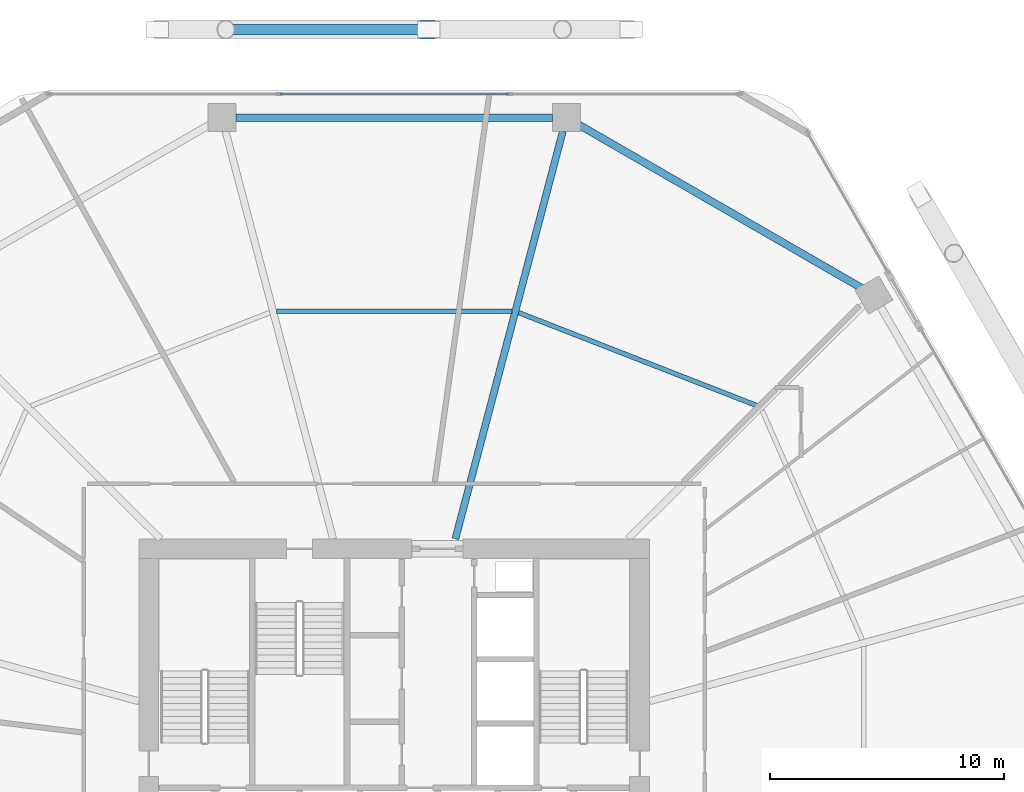
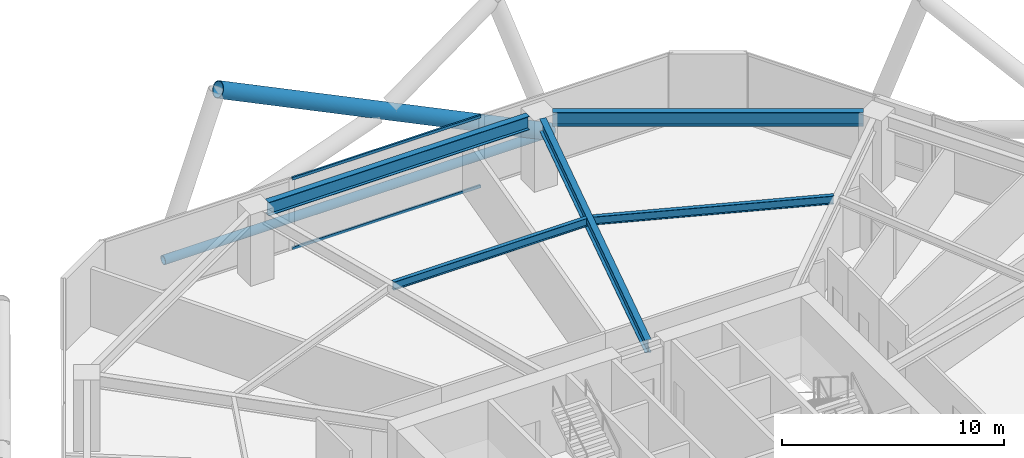
# One storey, part 20 of 28: 5 beams, 4 members, 1 element without a shape of its own.
"""IFC4 building model written with IfcOpenShell, lengths in metres."""

import ifcopenshell
import ifcopenshell.guid

model = None  # the IFC model being written
_history = None  # IfcOwnerHistory: only IFC2X3 demands one
_inside = {}  # id of a spatial element -> (the spatial element, [elements in it])
_under = {}  # id of a project, library or spatial element -> (it, [spatial elements below it])
_declared = {}  # id of a project -> (the project, [libraries it declares])
_typed = {}  # id of a type object -> (the type object, [elements of that type])
_made_of = {}  # id of a material, layer set ... -> (it, [elements and type objects made of it])


def new_model(schema):
    """Start an empty IFC model of exactly this schema.

    Asked for "IFC4X3", IfcOpenShell would pick the latest addendum, in which some entities
    have other attributes; the version numbers below select the first issue.
    IFC2X3 requires an IfcOwnerHistory on every rooted entity: one is made here for all.
    """
    global model, _history
    if schema == "IFC4X3":
        model = ifcopenshell.file(schema_version=(4, 3, 0, 0))
    else:
        model = ifcopenshell.file(schema=schema)
    _inside.clear()
    _under.clear()
    _declared.clear()
    _typed.clear()
    _made_of.clear()
    _history = None
    if model.schema == "IFC2X3":
        org = make("IfcOrganization", Name="unknown")
        user = make(
            "IfcPersonAndOrganization",
            ThePerson=make("IfcPerson", FamilyName="unknown"),
            TheOrganization=org,
        )
        app = make(
            "IfcApplication",
            ApplicationDeveloper=org,
            Version="unknown",
            ApplicationFullName="unknown",
            ApplicationIdentifier="unknown",
        )
        _history = make(
            "IfcOwnerHistory",
            OwningUser=user,
            OwningApplication=app,
            ChangeAction="ADDED",
            CreationDate=0,
        )
    return model


def make(cls, **values):
    """One entity of the class cls with the attributes given. An attribute that is None is left unset."""
    return model.create_entity(
        cls, **{name: value for name, value in values.items() if value is not None}
    )


def rooted(cls, **values):
    """An entity with a GlobalId (a new one), such as an element, a storey or a relation."""
    return make(cls, GlobalId=ifcopenshell.guid.new(), OwnerHistory=_history, **values)


def si_unit(unit_type, name, prefix=None):
    """IfcSIUnit, for example si_unit("LENGTHUNIT", "METRE", prefix="MILLI")."""
    return make("IfcSIUnit", UnitType=unit_type, Prefix=prefix, Name=name)


def assignment(units):
    """IfcUnitAssignment: the units of a project."""
    return None if units is None else make("IfcUnitAssignment", Units=units)


def point(xyz):
    """IfcCartesianPoint."""
    return None if xyz is None else make("IfcCartesianPoint", Coordinates=xyz)


def direction(xyz):
    """IfcDirection."""
    return None if xyz is None else make("IfcDirection", DirectionRatios=xyz)


def frame(location, z_axis=None, x_axis=None):
    """IfcAxis2Placement3D, a coordinate frame: its origin and axes. An axis left out is left unset."""
    return make(
        "IfcAxis2Placement3D",
        Location=point(location),
        Axis=direction(z_axis),
        RefDirection=direction(x_axis),
    )


def frame_2d(location, x_axis=None):
    """IfcAxis2Placement2D, a coordinate frame in the plane: its origin and x axis."""
    return make(
        "IfcAxis2Placement2D", Location=point(location), RefDirection=direction(x_axis)
    )


def origin():
    """The frame at (0, 0, 0) with its axes left unset."""
    return frame((0.0, 0.0, 0.0))


def origin_2d():
    """The frame at (0, 0) in the plane with its x axis left unset."""
    return frame_2d((0.0, 0.0))


def place(relative_to, where):
    """IfcLocalPlacement: puts the frame where relative to a parent placement (None: the world)."""
    return make(
        "IfcLocalPlacement", PlacementRelTo=relative_to, RelativePlacement=where
    )


def context(
    kind, dimensions, precision=None, world=None, true_north=None, identifier=None
):
    """IfcGeometricRepresentationContext, for example the 3D "Model" context."""
    return make(
        "IfcGeometricRepresentationContext",
        ContextIdentifier=identifier,
        ContextType=kind,
        CoordinateSpaceDimension=dimensions,
        Precision=precision,
        WorldCoordinateSystem=world,
        TrueNorth=true_north,
    )


def subcontext(parent, identifier, kind, view, scale=None):
    """IfcGeometricRepresentationSubContext, for example "Body" below "Model"."""
    return make(
        "IfcGeometricRepresentationSubContext",
        ContextIdentifier=identifier,
        ContextType=kind,
        ParentContext=parent,
        TargetScale=scale,
        TargetView=view,
    )


def project(units=None, contexts=None):
    """IfcProject with its units and contexts."""
    return rooted(
        "IfcProject",
        Name="project",
        RepresentationContexts=contexts,
        UnitsInContext=assignment(units),
    )


def spatial(cls, under=None, at=None, **own):
    """A site, building, storey or space (cls), placed at a placement, below another one or the project."""
    s = rooted(cls, ObjectPlacement=at, **own)
    if under is not None:
        _under.setdefault(under.id(), (under, []))[1].append(s)
    return s


def profile(cls, at=None, kind="AREA", **sizes):
    """A parametric profile (cls). Its sizes go by their IFC names, for example OverallWidth=200.0."""
    return make(cls, ProfileType=kind, Position=at, **sizes)


def hollow_rectangle(**sizes):
    """IfcRectangleHollowProfileDef."""
    return profile("IfcRectangleHollowProfileDef", **sizes)


def hollow_circle(**sizes):
    """IfcCircleHollowProfileDef."""
    return profile("IfcCircleHollowProfileDef", **sizes)


def i_section(**sizes):
    """IfcIShapeProfileDef."""
    return profile("IfcIShapeProfileDef", **sizes)


def extrude(swept, where, along, depth):
    """IfcExtrudedAreaSolid: the profile swept, set in the frame where, extruded along a direction by depth."""
    return make(
        "IfcExtrudedAreaSolid",
        SweptArea=swept,
        Position=where,
        ExtrudedDirection=direction(along),
        Depth=depth,
    )


def shape(context_of_items, identifier, shape_type, items):
    """IfcShapeRepresentation: the items that make up one representation, for example the "Body"."""
    return make(
        "IfcShapeRepresentation",
        ContextOfItems=context_of_items,
        RepresentationIdentifier=identifier,
        RepresentationType=shape_type,
        Items=items,
    )


def material(Name=None, Category=None):
    """IfcMaterial."""
    return make("IfcMaterial", Name=Name, Category=Category)


def material_profile(
    of_material, cross_section, Name=None, Category=None, Priority=None
):
    """IfcMaterialProfile: a cross section and its material."""
    return make(
        "IfcMaterialProfile",
        Name=Name,
        Material=of_material,
        Profile=cross_section,
        Priority=Priority,
        Category=Category,
    )


def profile_set(profiles, Name=None, composite=None):
    """IfcMaterialProfileSet."""
    return make(
        "IfcMaterialProfileSet",
        Name=Name,
        MaterialProfiles=profiles,
        CompositeProfile=composite,
    )


def made_of(thing, what):
    """Note that an element or type object is made of a material, layer set ...; save() writes the relation."""
    if what is not None:
        _made_of.setdefault(what.id(), (what, []))[1].append(thing)
    return thing


def type_object(cls, material=None, **own):
    """A type object (cls), such as IfcWallType, which elements share."""
    return made_of(rooted(cls, **own), material)


def element(
    cls,
    number,
    at=None,
    inside=None,
    cuts=None,
    type_object=None,
    material=None,
    context=None,
    identifier="Body",
    shape_type=None,
    held_by="IfcProductDefinitionShape",
    body=None,
    shapes=None,
    **own,
):
    """One element of the class cls, such as IfcWall. Its Tag is "e" and its number.

    at: its placement. inside: the storey or other place that contains it. cuts: it is an
    opening in that element (IfcRelVoidsElement). A single representation is given by context,
    identifier, shape_type and body (its items); several are given by shapes. held_by: the class
    of the entity that holds the representations. save() writes the other relations.
    """
    e = rooted(cls, Tag="e%d" % number, ObjectPlacement=at, **own)
    if body is not None:
        shapes = [shape(context, identifier, shape_type, body)]
    if shapes is not None:
        e.Representation = make(held_by, Representations=shapes)
    if inside is not None:
        _inside.setdefault(inside.id(), (inside, []))[1].append(e)
    if cuts is not None:
        rooted(
            "IfcRelVoidsElement", RelatingBuildingElement=cuts, RelatedOpeningElement=e
        )
    if type_object is not None:
        _typed.setdefault(type_object.id(), (type_object, []))[1].append(e)
    return made_of(e, material)


def aggregate(whole, parts):
    """IfcRelAggregates: a whole, such as a stair, and the parts it consists of."""
    return rooted("IfcRelAggregates", RelatingObject=whole, RelatedObjects=parts)


def save(model, path):
    """Write the relations noted so far, then the file.

    IfcRelAggregates (storeys below a building ...), IfcRelContainedInSpatialStructure (elements
    in a storey), IfcRelDefinesByType, IfcRelAssociatesMaterial and IfcRelDeclares: one each for
    every whole, place, type object, material and project.
    """
    for whole, parts in _under.values():
        aggregate(whole, parts)
    for where, things in _inside.values():
        rooted(
            "IfcRelContainedInSpatialStructure",
            RelatedElements=things,
            RelatingStructure=where,
        )
    for kind, things in _typed.values():
        rooted("IfcRelDefinesByType", RelatedObjects=things, RelatingType=kind)
    for what, things in _made_of.values():
        rooted("IfcRelAssociatesMaterial", RelatedObjects=things, RelatingMaterial=what)
    for by, libraries in _declared.values():
        rooted("IfcRelDeclares", RelatingContext=by, RelatedDefinitions=libraries)
    model.write(path)


model = new_model("IFC4")

# Units and contexts
model_context = context("Model", 3, precision=1e-05, world=origin(), true_north=direction((0.0, 1.0)))
body_context = subcontext(model_context, "Body", "Model", "MODEL_VIEW")
ifc_project = project(units=[si_unit("LENGTHUNIT", "METRE"), si_unit("AREAUNIT", "SQUARE_METRE"), si_unit("VOLUMEUNIT", "CUBIC_METRE"), si_unit("PLANEANGLEUNIT", "RADIAN"), si_unit("MASSUNIT", "GRAM", prefix="KILO")], contexts=[model_context])

# Site, building, storey
site_placement = place(None, origin())
site = spatial("IfcSite", under=ifc_project, at=site_placement, CompositionType="ELEMENT")
building_placement = place(site_placement, origin())
building = spatial("IfcBuilding", under=site, at=building_placement, Name="Zuhravey Tower", CompositionType="ELEMENT")
storey_placement = place(building_placement, frame((0.0, 0.0, 24.60009765625)))
storey = spatial("IfcBuildingStorey", under=building, at=storey_placement, Name="L06", CompositionType="ELEMENT", Elevation=24.60009765625)

# Curtain wall, members
ifc_material_1 = material(Name="Thermally broken anodised aluminium", Category="aluminium")
curtain_wall_type = type_object("IfcCurtainWallType", Name="School Low-E Unitised Curtain Wall CW1", PredefinedType="NOTDEFINED", material=ifc_material_1)
curtain_wall_placement = place(storey_placement, origin())
curtain_wall = element("IfcCurtainWall", 1, at=curtain_wall_placement, inside=storey, type_object=curtain_wall_type, Name="L06 CW1 CW-L06-F2-1", PredefinedType="NOTDEFINED")
ifc_material_2 = material(Name="Anodised aluminium", Category="aluminium")
ifc_material_profile_1 = material_profile(ifc_material_2, hollow_rectangle(XDim=0.090087890625, YDim=0.14990234375, WallThickness=0.0048828125, at=origin_2d()), Name="ALU-RHS-90x150x5")
ifc_profile_set_1 = profile_set([ifc_material_profile_1], Name="Anodised aluminium")
member_type_1 = type_object("IfcMemberType", Name="Curtain-Wall Transom 90x150", PredefinedType="USERDEFINED", material=ifc_profile_set_1)
member_1_placement = place(storey_placement, frame((31.11181640625, 60.95849609375, 0.044921875), z_axis=(1.0, 0.0, 0.0), x_axis=(0.0, 1.0, 0.0)))
member_1 = element("IfcMember", 2, at=member_1_placement, type_object=member_type_1, Name="CW1 transom 2.1", ObjectType="TRANSOM", PredefinedType="USERDEFINED", context=body_context, shape_type="SweptSolid", body=[
    extrude(hollow_rectangle(XDim=0.090087890625, YDim=0.14990234375, WallThickness=0.0048828125, at=origin_2d()), origin(), (0.0, 0.0, 1.0), 9.7763671875),
])
member_2_placement = place(storey_placement, frame((31.11181640625, 60.95849609375, 3.875), z_axis=(1.0, 0.0, 0.0), x_axis=(0.0, 1.0, 0.0)))
member_2 = element("IfcMember", 3, at=member_2_placement, type_object=member_type_1, Name="CW1 transom 2.2", ObjectType="TRANSOM", PredefinedType="USERDEFINED", context=body_context, shape_type="SweptSolid", body=[
    extrude(hollow_rectangle(XDim=0.090087890625, YDim=0.14990234375, WallThickness=0.0048828125, at=origin_2d()), origin(), (0.0, 0.0, 1.0), 9.7763671875),
])
aggregate(curtain_wall, [member_1, member_2])

# Members
ifc_material_3 = material(Name="Steel SM355", Category="steel")
ifc_material_profile_2 = material_profile(ifc_material_3, hollow_circle(Radius=0.228515625, WallThickness=0.02197265625, at=origin_2d()), Name="CHS-457.2x22")
ifc_profile_set_2 = profile_set([ifc_material_profile_2], Name="Steel SM355")
member_type_2 = type_object("IfcMemberType", Name="Exoskeleton Ring Tie CHS457x22", PredefinedType="CHORD", material=ifc_profile_set_2)
member_3_placement = place(storey_placement, frame((45.996826171875, 63.718505859375, -0.494140625), z_axis=(-1.0, 0.0, 0.0), x_axis=(0.0, -1.0, 0.0)))
element("IfcMember", 4, at=member_3_placement, inside=storey, type_object=member_type_2, Name="L06 Exoskeleton Face 2 Tie EXR1", PredefinedType="CHORD", context=body_context, shape_type="SweptSolid", body=[
    extrude(hollow_circle(Radius=0.228515625, WallThickness=0.02197265625, at=origin_2d()), origin(), (0.0, 0.0, 1.0), 19.99365234375),
])
ifc_material_4 = material(Name="Steel SM460", Category="steel")
ifc_material_profile_3 = material_profile(ifc_material_4, hollow_circle(Radius=0.406494140625, WallThickness=0.035888671875, at=origin_2d()), Name="CHS-812.8x36")
ifc_profile_set_3 = profile_set([ifc_material_profile_3], Name="Steel SM460")
member_type_3 = type_object("IfcMemberType", Name="Exoskeleton Zone 1 Diagrid CHS813x36", PredefinedType="BRACE", material=ifc_profile_set_3)
member_4_placement = place(storey_placement, frame((46.09130859375, 63.718505859375, -0.47216796875), z_axis=(-0.899869583891, 0.0, 0.436159067299), x_axis=(0.0, -1.0, 0.0)))
element("IfcMember", 5, at=member_4_placement, inside=storey, type_object=member_type_3, Name="L06 Face 2 Diagrid Brace 2", PredefinedType="BRACE", context=body_context, shape_type="SweptSolid", body=[
    extrude(hollow_circle(Radius=0.406494140625, WallThickness=0.035888671875, at=origin_2d()), origin(), (0.0, 0.0, 1.0), 19.157958984375),
])

# Beams
ifc_material_profile_4 = material_profile(ifc_material_3, i_section(OverallWidth=0.320068359375, OverallDepth=0.75, WebThickness=0.013916015625, FlangeThickness=0.02490234375, at=origin_2d()), Name="H-750x320x14x25")
ifc_profile_set_4 = profile_set([ifc_material_profile_4], Name="Steel SM355")
beam_type_1 = type_object("IfcBeamType", Name="Perimeter Ring Beam H750x320", PredefinedType="BEAM", material=ifc_profile_set_4)
beam_1_placement = place(storey_placement, frame((55.996826171875, 52.658447265625, 3.544921875), z_axis=(-0.866029969761, 0.499992091414, 0.0), x_axis=(-0.499992091414, -0.866029969761, 0.0)))
element("IfcBeam", 6, at=beam_1_placement, inside=storey, type_object=beam_type_1, Name="L06 PB1 BM-L06-PB-02", PredefinedType="BEAM", context=body_context, shape_type="SweptSolid", body=[
    extrude(i_section(OverallWidth=0.320068359375, OverallDepth=0.75, WebThickness=0.013916015625, FlangeThickness=0.02490234375, at=origin_2d()), origin(), (0.0, 0.0, 1.0), 13.977294921875),
])
beam_2_placement = place(storey_placement, frame((42.76708984375, 59.948486328125, 3.544921875), z_axis=(-1.0, 0.0, 0.0), x_axis=(0.0, -1.0, 0.0)))
element("IfcBeam", 7, at=beam_2_placement, inside=storey, type_object=beam_type_1, Name="L06 PB1 BM-L06-PB-03", PredefinedType="BEAM", context=body_context, shape_type="SweptSolid", body=[
    extrude(i_section(OverallWidth=0.320068359375, OverallDepth=0.75, WebThickness=0.013916015625, FlangeThickness=0.02490234375, at=origin_2d()), origin(), (0.0, 0.0, 1.0), 13.5341796875),
])
ifc_material_profile_5 = material_profile(ifc_material_3, i_section(OverallWidth=0.300048828125, OverallDepth=0.699951171875, WebThickness=0.012939453125, FlangeThickness=0.02392578125, at=origin_2d()), Name="H-700x300x13x24")
ifc_profile_set_5 = profile_set([ifc_material_profile_5], Name="Steel SM355")
beam_type_2 = type_object("IfcBeamType", Name="Radial Primary Girder H700x300", PredefinedType="BEAM", material=ifc_profile_set_5)
beam_3_placement = place(storey_placement, frame((38.617919921875, 41.927978515625, 3.56982421875), z_axis=(0.254989720435, 0.966943763862, 0.0), x_axis=(-0.966943763862, 0.254989720435, 0.0)))
element("IfcBeam", 8, at=beam_3_placement, inside=storey, type_object=beam_type_2, Name="L06 RG1 BM-L06-RAD-03", PredefinedType="BEAM", context=body_context, shape_type="SweptSolid", body=[
    extrude(i_section(OverallWidth=0.300048828125, OverallDepth=0.699951171875, WebThickness=0.012939453125, FlangeThickness=0.02392578125, at=origin_2d()), origin(), (0.0, 0.0, 1.0), 18.03369140625),
])
ifc_material_profile_6 = material_profile(ifc_material_3, i_section(OverallWidth=0.199951171875, OverallDepth=0.449951171875, WebThickness=0.009033203125, FlangeThickness=0.013916015625, at=origin_2d()), Name="H-450x200x9x14")
ifc_profile_set_6 = profile_set([ifc_material_profile_6], Name="Steel SM355")
beam_type_3 = type_object("IfcBeamType", Name="Secondary Floor Joist H450x200", PredefinedType="JOIST", material=ifc_profile_set_6)
beam_4_placement = place(storey_placement, frame((51.5400390625, 47.61572265625, 3.69482421875), z_axis=(-0.931516535886, 0.363698973562, 0.0), x_axis=(-0.363698973562, -0.931516535886, 0.0)))
element("IfcBeam", 9, at=beam_4_placement, inside=storey, type_object=beam_type_3, Name="L06 SJ1 BM-L06-SJ-02-1", PredefinedType="JOIST", context=body_context, shape_type="SweptSolid", body=[
    extrude(i_section(OverallWidth=0.199951171875, OverallDepth=0.449951171875, WebThickness=0.009033203125, FlangeThickness=0.013916015625, at=origin_2d()), origin(), (0.0, 0.0, 1.0), 10.963134765625),
])
beam_5_placement = place(storey_placement, frame((41.030029296875, 51.6591796875, 3.69482421875), z_axis=(-1.0, 0.0, 0.0), x_axis=(0.0, -1.0, 0.0)))
element("IfcBeam", 10, at=beam_5_placement, inside=storey, type_object=beam_type_3, Name="L06 SJ1 BM-L06-SJ-03-1", PredefinedType="JOIST", context=body_context, shape_type="SweptSolid", body=[
    extrude(i_section(OverallWidth=0.199951171875, OverallDepth=0.449951171875, WebThickness=0.009033203125, FlangeThickness=0.013916015625, at=origin_2d()), origin(), (0.0, 0.0, 1.0), 10.06005859375),
])

save(model, "model.ifc")
